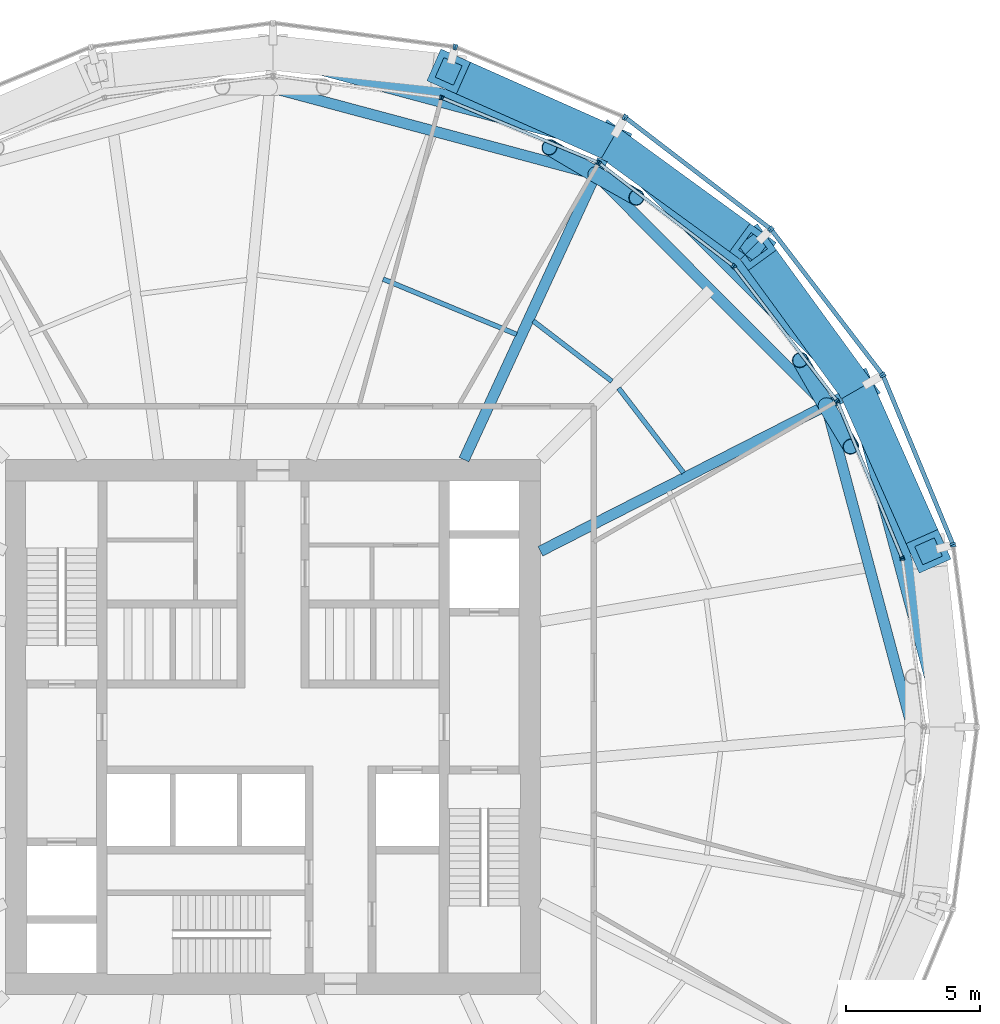
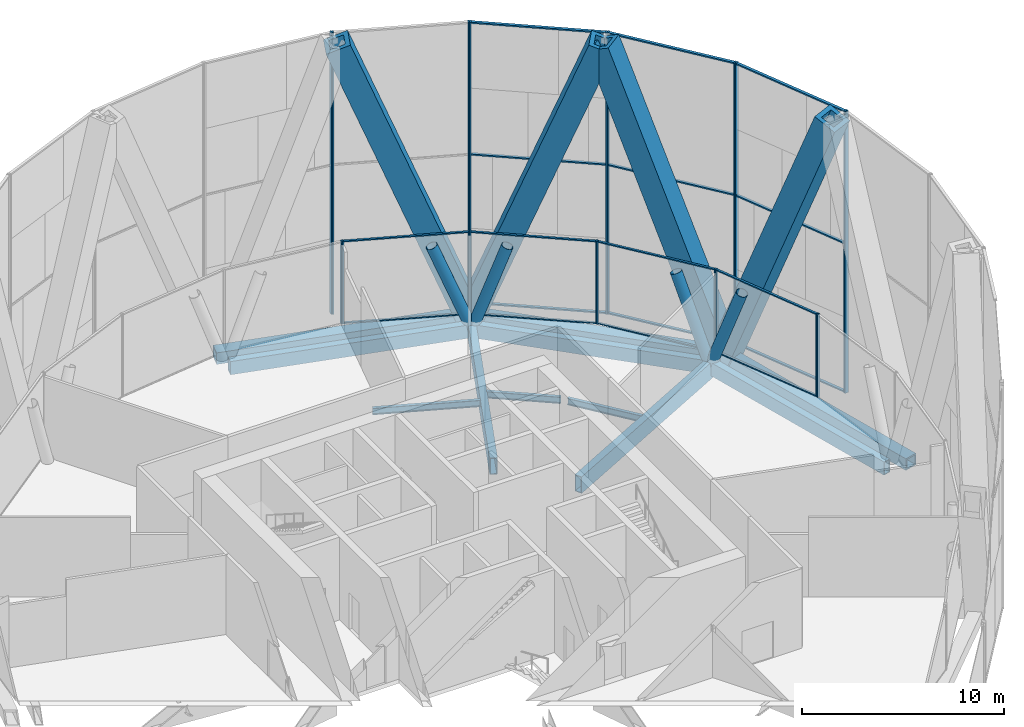
# One storey, part 8 of 16: 45 members, 11 beams, 12 elements without a shape of their own.
"""IFC4 building model written with IfcOpenShell, lengths in metres."""

from ifc_helpers import new_model, si_unit, direction, frame, origin, origin_2d, place, context, subcontext, project, spatial, rectangle, hollow_rectangle, hollow_circle, i_section, extrude, material, material_profile, profile_set, type_object, element, aggregate, save


model = new_model("IFC4")

# Units and contexts
model_context = context("Model", 3, precision=1e-05, world=origin(), true_north=direction((0.0, 1.0)))
body_context = subcontext(model_context, "Body", "Model", "MODEL_VIEW")
ifc_project = project(units=[si_unit("LENGTHUNIT", "METRE"), si_unit("AREAUNIT", "SQUARE_METRE"), si_unit("VOLUMEUNIT", "CUBIC_METRE"), si_unit("PLANEANGLEUNIT", "RADIAN"), si_unit("MASSUNIT", "GRAM", prefix="KILO")], contexts=[model_context])

# Site, building, storey
site_placement = place(None, origin())
site = spatial("IfcSite", under=ifc_project, at=site_placement, CompositionType="ELEMENT")
building_placement = place(site_placement, origin())
building = spatial("IfcBuilding", under=site, at=building_placement, Name="Golbaran Civic Tower", CompositionType="ELEMENT")
storey_placement = place(building_placement, frame((0.0, 0.0, 85.0)))
storey = spatial("IfcBuildingStorey", under=building, at=storey_placement, Name="L20", CompositionType="ELEMENT", Elevation=85.0)

# Members
ifc_material_1 = material(Name="Steel S355", Category="steel")
ifc_material_profile_1 = material_profile(ifc_material_1, hollow_circle(Radius=0.304931640625, WallThickness=0.02490234375, at=origin_2d()), Name="CHS 610.0x25")
ifc_profile_set_1 = profile_set([ifc_material_profile_1], Name="Steel S355")
member_type_1 = type_object("IfcMemberType", Name="BELT TRUSS DIAGONAL CHS 610.0x25", PredefinedType="BRACE", material=ifc_profile_set_1)
member_1_placement = place(storey_placement, frame((20.688232421875, 12.021728515625, -0.60009765625), z_axis=(-0.181029971918, 0.316779719821, 0.931063240805), x_axis=(-0.86822780606, -0.496165775507, 0.0)))
element("IfcMember", 1, at=member_1_placement, inside=storey, type_object=member_type_1, Name="Belt truss diagonal 30.00R L20", PredefinedType="BRACE", context=body_context, shape_type="SweptSolid", body=[
    extrude(hollow_circle(Radius=0.304931640625, WallThickness=0.02490234375, at=origin_2d()), origin(), (0.0, 0.0, 1.0), 5.3701171875),
])
member_2_placement = place(storey_placement, frame((20.688232421875, 12.021728515625, -0.60009765625), z_axis=(0.17373343176, -0.288666900773, 0.941534978154), x_axis=(0.856793813137, 0.515659152707, 0.0)))
element("IfcMember", 2, at=member_2_placement, inside=storey, type_object=member_type_1, Name="Belt truss diagonal 30.00L L20", PredefinedType="BRACE", context=body_context, shape_type="SweptSolid", body=[
    extrude(hollow_circle(Radius=0.304931640625, WallThickness=0.02490234375, at=origin_2d()), origin(), (0.0, 0.0, 1.0), 5.310546875),
])
member_3_placement = place(storey_placement, frame((12.065185546875, 20.6630859375, -0.60009765625), z_axis=(-0.319905106981, 0.189078107017, 0.928391184778), x_axis=(-0.50881561717, -0.860875523943, 0.0)))
element("IfcMember", 3, at=member_3_placement, inside=storey, type_object=member_type_1, Name="Belt truss diagonal 60.00R L20", PredefinedType="BRACE", context=body_context, shape_type="SweptSolid", body=[
    extrude(hollow_circle(Radius=0.304931640625, WallThickness=0.02490234375, at=origin_2d()), origin(), (0.0, 0.0, 1.0), 5.3857421875),
])
member_4_placement = place(storey_placement, frame((12.065185546875, 20.6630859375, -0.60009765625), z_axis=(0.288582653462, -0.161915925956, 0.943664816046), x_axis=(0.489315556037, 0.872106809181, 0.0)))
element("IfcMember", 4, at=member_4_placement, inside=storey, type_object=member_type_1, Name="Belt truss diagonal 60.00L L20", PredefinedType="BRACE", context=body_context, shape_type="SweptSolid", body=[
    extrude(hollow_circle(Radius=0.304931640625, WallThickness=0.02490234375, at=origin_2d()), origin(), (0.0, 0.0, 1.0), 5.298583984375),
])
ifc_material_profile_2 = material_profile(ifc_material_1, hollow_rectangle(XDim=1.300048828125, YDim=1.300048828125, WallThickness=0.25, at=origin_2d()), Name="BOX 1300x1300x250")
ifc_profile_set_2 = profile_set([ifc_material_profile_2], Name="Steel S355")
member_type_2 = type_object("IfcMemberType", Name="DIAGRID DIAGONAL BOX 1300x1300x250", PredefinedType="BRACE", material=ifc_profile_set_2)
for number, where, z_axis, x_axis, name in (
    (5, (21.833251953125, 12.60546875, -0.7099609375), (-0.213080937127, 0.292875852707, 0.932105277924), (-0.80863058771, -0.588316728149, 0.0), "Diagonal D04-01R L20-L24"),
    (6, (21.833251953125, 12.60546875, -0.7099609375), (0.14710040459, -0.330972563789, 0.932104410991), (0.913810024533, 0.406141895231, 0.0), "Diagonal D04-01L L20-L24"),
    (7, (12.60546875, 21.833251953125, -0.7099609375), (-0.330972563789, 0.14710040459, 0.932104410991), (-0.406141895231, -0.913810024533, 0.0), "Diagonal D04-02R L20-L24"),
    (8, (12.60546875, 21.833251953125, -0.7099609375), (0.292875852707, -0.213080937127, 0.932105277924), (0.588316728149, 0.80863058771, 0.0), "Diagonal D04-02L L20-L24"),
):
    element("IfcMember", number, at=place(storey_placement, frame(where, z_axis=z_axis, x_axis=x_axis)), inside=storey, type_object=member_type_2, Name=name, PredefinedType="BRACE", context=body_context, shape_type="SweptSolid", body=[
        extrude(hollow_rectangle(XDim=1.300048828125, YDim=1.300048828125, WallThickness=0.25, at=origin_2d()), origin(), (0.0, 0.0, 1.0), 18.23828125),
    ])

# Beams
ifc_material_profile_3 = material_profile(ifc_material_1, hollow_rectangle(XDim=0.699951171875, YDim=0.699951171875, WallThickness=0.080078125, at=origin_2d()), Name="BOX 700x700x80")
ifc_profile_set_3 = profile_set([ifc_material_profile_3], Name="Steel S355")
beam_type_1 = type_object("IfcBeamType", Name="DIAGRID RING TIE BOX 700x700x80", PredefinedType="BEAM", material=ifc_profile_set_3)
for number, where, z_axis, x_axis, name in (
    (9, (25.2109375, 0.0, -0.7099609375), (-0.258823361579, 0.965924669682, 0.0), (-0.965924669682, -0.258823361579, 0.0), "Ring tie 0.00 L20"),
    (10, (21.833251953125, 12.60546875, -0.7099609375), (-0.707106781187, 0.707106781187, 0.0), (-0.707106781187, -0.707106781187, 0.0), "Ring tie 30.00 L20"),
    (11, (12.60546875, 21.833251953125, -0.7099609375), (-0.965924669682, 0.258823361579, 0.0), (-0.258823361579, -0.965924669682, 0.0), "Ring tie 60.00 L20"),
):
    element("IfcBeam", number, at=place(storey_placement, frame(where, z_axis=z_axis, x_axis=x_axis)), inside=storey, type_object=beam_type_1, Name=name, PredefinedType="BEAM", context=body_context, shape_type="SweptSolid", body=[
        extrude(hollow_rectangle(XDim=0.699951171875, YDim=0.699951171875, WallThickness=0.080078125, at=origin_2d()), origin(), (0.0, 0.0, 1.0), 13.050048828125),
    ])
ifc_material_profile_4 = material_profile(ifc_material_1, hollow_rectangle(XDim=0.39990234375, YDim=0.800048828125, WallThickness=0.0400390625, at=origin_2d()), Name="BOX 800x400x40")
ifc_profile_set_4 = profile_set([ifc_material_profile_4], Name="Steel S355")
beam_type_2 = type_object("IfcBeamType", Name="EDGE BEAM BOX 800x400x40", PredefinedType="BEAM", material=ifc_profile_set_4)
beam_1_placement = place(storey_placement, frame((23.880126953125, 0.065673828125, -0.60009765625), z_axis=(-0.257928144431, 0.966164102164, 0.0), x_axis=(-0.966164102164, -0.257928144431, 0.0)))
element("IfcBeam", 12, at=beam_1_placement, inside=storey, type_object=beam_type_2, Name="Edge beam 0.00 L20", PredefinedType="BEAM", context=body_context, shape_type="SweptSolid", body=[
    extrude(hollow_rectangle(XDim=0.39990234375, YDim=0.800048828125, WallThickness=0.0400390625, at=origin_2d()), origin(), (0.0, 0.0, 1.0), 12.190673828125),
])
beam_2_placement = place(storey_placement, frame((20.5546875, 12.155517578125, -0.60009765625), z_axis=(-0.706363241549, 0.707849539795, 0.0), x_axis=(-0.707849539795, -0.706363241549, 0.0)))
element("IfcBeam", 13, at=beam_2_placement, inside=storey, type_object=beam_type_2, Name="Edge beam 30.00 L20", PredefinedType="BEAM", context=body_context, shape_type="SweptSolid", body=[
    extrude(hollow_rectangle(XDim=0.39990234375, YDim=0.800048828125, WallThickness=0.0400390625, at=origin_2d()), origin(), (0.0, 0.0, 1.0), 11.82666015625),
])
beam_3_placement = place(storey_placement, frame((11.888671875, 20.710205078125, -0.60009765625), z_axis=(-0.9659442267, 0.258750364067, 0.0), x_axis=(-0.258750364067, -0.9659442267, 0.0)))
element("IfcBeam", 14, at=beam_3_placement, inside=storey, type_object=beam_type_2, Name="Edge beam 60.00 L20", PredefinedType="BEAM", context=body_context, shape_type="SweptSolid", body=[
    extrude(hollow_rectangle(XDim=0.39990234375, YDim=0.800048828125, WallThickness=0.0400390625, at=origin_2d()), origin(), (0.0, 0.0, 1.0), 12.25),
])
ifc_material_profile_5 = material_profile(ifc_material_1, i_section(OverallWidth=0.179931640625, OverallDepth=0.39990234375, WebThickness=0.008544921875, FlangeThickness=0.013427734375, FilletRadius=0.02099609375, at=origin_2d()), Name="IPE 400")
ifc_profile_set_5 = profile_set([ifc_material_profile_5], Name="Steel S355")
beam_type_3 = type_object("IfcBeamType", Name="FLOOR INFILL BEAM IPE 400", PredefinedType="BEAM", material=ifc_profile_set_5)
beam_4_placement = place(storey_placement, frame((15.355712890625, 9.50439453125, -0.39990234375), z_axis=(-0.608761492102, 0.793353291878, 0.0), x_axis=(-0.793353291878, -0.608761492102, 0.0)))
element("IfcBeam", 15, at=beam_4_placement, inside=storey, type_object=beam_type_3, Name="Infill beam 37.50 L20", PredefinedType="BEAM", context=body_context, shape_type="SweptSolid", body=[
    extrude(i_section(OverallWidth=0.179931640625, OverallDepth=0.39990234375, WebThickness=0.008544921875, FlangeThickness=0.013427734375, FilletRadius=0.02099609375, at=origin_2d()), origin(), (0.0, 0.0, 1.0), 3.99169921875),
])
beam_5_placement = place(storey_placement, frame((12.673583984375, 12.92822265625, -0.39990234375), z_axis=(-0.793372973676, 0.60873584143, 0.0), x_axis=(-0.60873584143, -0.793372973676, 0.0)))
element("IfcBeam", 16, at=beam_5_placement, inside=storey, type_object=beam_type_3, Name="Infill beam 52.50 L20", PredefinedType="BEAM", context=body_context, shape_type="SweptSolid", body=[
    extrude(i_section(OverallWidth=0.179931640625, OverallDepth=0.39990234375, WebThickness=0.008544921875, FlangeThickness=0.013427734375, FilletRadius=0.02099609375, at=origin_2d()), origin(), (0.0, 0.0, 1.0), 3.705078125),
])
beam_6_placement = place(storey_placement, frame((9.107177734375, 14.684814453125, -0.39990234375), z_axis=(-0.923878564595, 0.382685769113, 0.0), x_axis=(-0.382685769113, -0.923878564595, 0.0)))
element("IfcBeam", 17, at=beam_6_placement, inside=storey, type_object=beam_type_3, Name="Infill beam 67.50 L20", PredefinedType="BEAM", context=body_context, shape_type="SweptSolid", body=[
    extrude(i_section(OverallWidth=0.179931640625, OverallDepth=0.39990234375, WebThickness=0.008544921875, FlangeThickness=0.013427734375, FilletRadius=0.02099609375, at=origin_2d()), origin(), (0.0, 0.0, 1.0), 5.401611328125),
])

# Curtain wall, member
ifc_material_2 = material(Name="Aluminium and glass", Category="aluminium")
curtain_wall_type_1 = type_object("IfcCurtainWallType", Name="OUTER SKIN TERRACOTTA SCREEN", PredefinedType="NOTDEFINED", material=ifc_material_2)
curtain_wall_1_placement = place(storey_placement, origin())
curtain_wall_1 = element("IfcCurtainWall", 18, at=curtain_wall_1_placement, inside=storey, type_object=curtain_wall_type_1, Name="Outer skin L20 facet 1 CW3", ObjectType="OUTER SKIN", PredefinedType="USERDEFINED")
ifc_material_3 = material(Name="Aluminium", Category="aluminium")
ifc_material_profile_6 = material_profile(ifc_material_3, rectangle(XDim=0.219970703125, YDim=0.080078125, at=origin_2d()), Name="OUTER SKIN TERRACOTTA SCREEN MULLION")
ifc_profile_set_6 = profile_set([ifc_material_profile_6], Name="Aluminium")
member_type_3 = type_object("IfcMemberType", Name="OUTER SKIN TERRACOTTA SCREEN MULLION", PredefinedType="MULLION", material=ifc_profile_set_6)
member_5_placement = place(storey_placement, frame((25.43896484375, 6.775390625, -0.7099609375), z_axis=(0.0, 0.0, 1.0), x_axis=(-0.991444861374, -0.13052619222, 0.0)))
member_5 = element("IfcMember", 19, at=member_5_placement, type_object=member_type_3, Name="CW3 mullion 2", PredefinedType="MULLION", context=body_context, shape_type="SweptSolid", body=[
    extrude(rectangle(XDim=0.219970703125, YDim=0.080078125, at=origin_2d()), origin(), (0.0, 0.0, 1.0), 17.0),
])
aggregate(curtain_wall_1, [member_5])

# Curtain wall, members
curtain_wall_2_placement = place(storey_placement, origin())
curtain_wall_2 = element("IfcCurtainWall", 20, at=curtain_wall_2_placement, inside=storey, type_object=curtain_wall_type_1, Name="Outer skin L20 facet 2 CW3", ObjectType="OUTER SKIN", PredefinedType="USERDEFINED")
member_6_placement = place(storey_placement, frame((25.41845703125, 6.851806640625, -0.7099609375), z_axis=(0.0, 0.0, 1.0), x_axis=(-0.923879532498, -0.382683432397, 0.0)))
member_6 = element("IfcMember", 21, at=member_6_placement, type_object=member_type_3, Name="CW3 mullion 1", PredefinedType="MULLION", context=body_context, shape_type="SweptSolid", body=[
    extrude(rectangle(XDim=0.219970703125, YDim=0.080078125, at=origin_2d()), origin(), (0.0, 0.0, 1.0), 17.0),
])
member_7_placement = place(storey_placement, frame((22.818603515625, 13.128662109375, -0.7099609375), z_axis=(0.0, 0.0, 1.0), x_axis=(-0.923879532498, -0.382683432397, 0.0)))
member_7 = element("IfcMember", 22, at=member_7_placement, type_object=member_type_3, Name="CW3 mullion 2", PredefinedType="MULLION", context=body_context, shape_type="SweptSolid", body=[
    extrude(rectangle(XDim=0.219970703125, YDim=0.080078125, at=origin_2d()), origin(), (0.0, 0.0, 1.0), 17.0),
])

curtain_wall_3_placement = place(storey_placement, origin())
curtain_wall_3 = element("IfcCurtainWall", 23, at=curtain_wall_3_placement, inside=storey, type_object=curtain_wall_type_1, Name="Outer skin L20 facet 3 CW3", ObjectType="OUTER SKIN", PredefinedType="USERDEFINED")
member_8_placement = place(storey_placement, frame((22.779052734375, 13.197265625, -0.7099609375), z_axis=(0.0, 0.0, 1.0), x_axis=(-0.793353340238, -0.608761429078, 0.0)))
member_8 = element("IfcMember", 24, at=member_8_placement, type_object=member_type_3, Name="CW3 mullion 1", PredefinedType="MULLION", context=body_context, shape_type="SweptSolid", body=[
    extrude(rectangle(XDim=0.219970703125, YDim=0.080078125, at=origin_2d()), origin(), (0.0, 0.0, 1.0), 17.0),
])
member_9_placement = place(storey_placement, frame((18.64306640625, 18.587158203125, -0.7099609375), z_axis=(0.0, 0.0, 1.0), x_axis=(-0.793353340238, -0.608761429078, 0.0)))
member_9 = element("IfcMember", 25, at=member_9_placement, type_object=member_type_3, Name="CW3 mullion 2", PredefinedType="MULLION", context=body_context, shape_type="SweptSolid", body=[
    extrude(rectangle(XDim=0.219970703125, YDim=0.080078125, at=origin_2d()), origin(), (0.0, 0.0, 1.0), 17.0),
])

curtain_wall_4_placement = place(storey_placement, origin())
curtain_wall_4 = element("IfcCurtainWall", 26, at=curtain_wall_4_placement, inside=storey, type_object=curtain_wall_type_1, Name="Outer skin L20 facet 4 CW3", ObjectType="OUTER SKIN", PredefinedType="USERDEFINED")
member_10_placement = place(storey_placement, frame((18.587158203125, 18.64306640625, -0.7099609375), z_axis=(0.0, 0.0, 1.0), x_axis=(-0.608761429078, -0.793353340238, 0.0)))
member_10 = element("IfcMember", 27, at=member_10_placement, type_object=member_type_3, Name="CW3 mullion 1", PredefinedType="MULLION", context=body_context, shape_type="SweptSolid", body=[
    extrude(rectangle(XDim=0.219970703125, YDim=0.080078125, at=origin_2d()), origin(), (0.0, 0.0, 1.0), 17.0),
])
member_11_placement = place(storey_placement, frame((13.197265625, 22.779052734375, -0.7099609375), z_axis=(0.0, 0.0, 1.0), x_axis=(-0.608761429078, -0.793353340238, 0.0)))
member_11 = element("IfcMember", 28, at=member_11_placement, type_object=member_type_3, Name="CW3 mullion 2", PredefinedType="MULLION", context=body_context, shape_type="SweptSolid", body=[
    extrude(rectangle(XDim=0.219970703125, YDim=0.080078125, at=origin_2d()), origin(), (0.0, 0.0, 1.0), 17.0),
])

curtain_wall_5_placement = place(storey_placement, origin())
curtain_wall_5 = element("IfcCurtainWall", 29, at=curtain_wall_5_placement, inside=storey, type_object=curtain_wall_type_1, Name="Outer skin L20 facet 5 CW3", ObjectType="OUTER SKIN", PredefinedType="USERDEFINED")
member_12_placement = place(storey_placement, frame((13.128662109375, 22.818603515625, -0.7099609375), z_axis=(0.0, 0.0, 1.0), x_axis=(-0.382683432397, -0.923879532498, 0.0)))
member_12 = element("IfcMember", 30, at=member_12_placement, type_object=member_type_3, Name="CW3 mullion 1", PredefinedType="MULLION", context=body_context, shape_type="SweptSolid", body=[
    extrude(rectangle(XDim=0.219970703125, YDim=0.080078125, at=origin_2d()), origin(), (0.0, 0.0, 1.0), 17.0),
])
member_13_placement = place(storey_placement, frame((6.851806640625, 25.41845703125, -0.7099609375), z_axis=(0.0, 0.0, 1.0), x_axis=(-0.382683432397, -0.923879532498, 0.0)))
member_13 = element("IfcMember", 31, at=member_13_placement, type_object=member_type_3, Name="CW3 mullion 2", PredefinedType="MULLION", context=body_context, shape_type="SweptSolid", body=[
    extrude(rectangle(XDim=0.219970703125, YDim=0.080078125, at=origin_2d()), origin(), (0.0, 0.0, 1.0), 17.0),
])
aggregate(curtain_wall_5, [member_12, member_13])

# Curtain wall, member
curtain_wall_6_placement = place(storey_placement, origin())
curtain_wall_6 = element("IfcCurtainWall", 32, at=curtain_wall_6_placement, inside=storey, type_object=curtain_wall_type_1, Name="Outer skin L20 facet 6 CW3", ObjectType="OUTER SKIN", PredefinedType="USERDEFINED")
member_14_placement = place(storey_placement, frame((6.775390625, 25.43896484375, -0.7099609375), z_axis=(0.0, 0.0, 1.0), x_axis=(-0.13052619222, -0.991444861374, 0.0)))
member_14 = element("IfcMember", 33, at=member_14_placement, type_object=member_type_3, Name="CW3 mullion 1", PredefinedType="MULLION", context=body_context, shape_type="SweptSolid", body=[
    extrude(rectangle(XDim=0.219970703125, YDim=0.080078125, at=origin_2d()), origin(), (0.0, 0.0, 1.0), 17.0),
])
aggregate(curtain_wall_6, [member_14])

# Member
ifc_material_profile_7 = material_profile(ifc_material_3, rectangle(XDim=0.159912109375, YDim=0.080078125, at=origin_2d()), Name="OUTER SKIN TERRACOTTA SCREEN TRANSOM")
ifc_profile_set_7 = profile_set([ifc_material_profile_7], Name="Aluminium")
member_type_4 = type_object("IfcMemberType", Name="OUTER SKIN TERRACOTTA SCREEN TRANSOM", PredefinedType="USERDEFINED", material=ifc_profile_set_7)
member_15_placement = place(storey_placement, frame((25.403076171875, 6.888916015625, -0.669921875), z_axis=(-0.382667609507, 0.923886086395, 0.0), x_axis=(-0.923886086395, -0.382667609507, 0.0)))
member_15 = element("IfcMember", 34, at=member_15_placement, type_object=member_type_4, Name="CW3 transom 1.1", ObjectType="TRANSOM", PredefinedType="USERDEFINED", context=body_context, shape_type="SweptSolid", body=[
    extrude(rectangle(XDim=0.159912109375, YDim=0.080078125, at=origin_2d()), origin(), (0.0, 0.0, 1.0), 6.713623046875),
])

member_16_placement = place(storey_placement, frame((25.403076171875, 6.888916015625, 8.2900390625), z_axis=(-0.382667609507, 0.923886086395, 0.0), x_axis=(-0.923886086395, -0.382667609507, 0.0)))
member_16 = element("IfcMember", 35, at=member_16_placement, type_object=member_type_4, Name="CW3 transom 1.2", ObjectType="TRANSOM", PredefinedType="USERDEFINED", context=body_context, shape_type="SweptSolid", body=[
    extrude(rectangle(XDim=0.159912109375, YDim=0.080078125, at=origin_2d()), origin(), (0.0, 0.0, 1.0), 6.713623046875),
])

member_17_placement = place(storey_placement, frame((25.403076171875, 6.888916015625, 16.25), z_axis=(-0.382667609507, 0.923886086395, 0.0), x_axis=(-0.923886086395, -0.382667609507, 0.0)))
member_17 = element("IfcMember", 36, at=member_17_placement, type_object=member_type_4, Name="CW3 transom 1.3", ObjectType="TRANSOM", PredefinedType="USERDEFINED", context=body_context, shape_type="SweptSolid", body=[
    extrude(rectangle(XDim=0.159912109375, YDim=0.080078125, at=origin_2d()), origin(), (0.0, 0.0, 1.0), 6.713623046875),
])

aggregate(curtain_wall_2, [member_6, member_7, member_15, member_16, member_17])

member_18_placement = place(storey_placement, frame((22.754638671875, 13.22900390625, -0.669921875), z_axis=(-0.608766626874, 0.793349351802, 0.0), x_axis=(-0.793349351802, -0.608766626874, 0.0)))
member_18 = element("IfcMember", 37, at=member_18_placement, type_object=member_type_4, Name="CW3 transom 1.1", ObjectType="TRANSOM", PredefinedType="USERDEFINED", context=body_context, shape_type="SweptSolid", body=[
    extrude(rectangle(XDim=0.159912109375, YDim=0.080078125, at=origin_2d()), origin(), (0.0, 0.0, 1.0), 6.7138671875),
])

member_19_placement = place(storey_placement, frame((22.754638671875, 13.22900390625, 8.2900390625), z_axis=(-0.608766626874, 0.793349351802, 0.0), x_axis=(-0.793349351802, -0.608766626874, 0.0)))
member_19 = element("IfcMember", 38, at=member_19_placement, type_object=member_type_4, Name="CW3 transom 1.2", ObjectType="TRANSOM", PredefinedType="USERDEFINED", context=body_context, shape_type="SweptSolid", body=[
    extrude(rectangle(XDim=0.159912109375, YDim=0.080078125, at=origin_2d()), origin(), (0.0, 0.0, 1.0), 6.7138671875),
])

member_20_placement = place(storey_placement, frame((22.754638671875, 13.22900390625, 16.25), z_axis=(-0.608766626874, 0.793349351802, 0.0), x_axis=(-0.793349351802, -0.608766626874, 0.0)))
member_20 = element("IfcMember", 39, at=member_20_placement, type_object=member_type_4, Name="CW3 transom 1.3", ObjectType="TRANSOM", PredefinedType="USERDEFINED", context=body_context, shape_type="SweptSolid", body=[
    extrude(rectangle(XDim=0.159912109375, YDim=0.080078125, at=origin_2d()), origin(), (0.0, 0.0, 1.0), 6.7138671875),
])

aggregate(curtain_wall_3, [member_8, member_9, member_18, member_19, member_20])

member_21_placement = place(storey_placement, frame((18.555419921875, 18.66748046875, -0.669921875), z_axis=(-0.793349351802, 0.608766626874, 0.0), x_axis=(-0.608766626874, -0.793349351802, 0.0)))
member_21 = element("IfcMember", 40, at=member_21_placement, type_object=member_type_4, Name="CW3 transom 1.1", ObjectType="TRANSOM", PredefinedType="USERDEFINED", context=body_context, shape_type="SweptSolid", body=[
    extrude(rectangle(XDim=0.159912109375, YDim=0.080078125, at=origin_2d()), origin(), (0.0, 0.0, 1.0), 6.7138671875),
])

member_22_placement = place(storey_placement, frame((18.555419921875, 18.66748046875, 8.2900390625), z_axis=(-0.793349351802, 0.608766626874, 0.0), x_axis=(-0.608766626874, -0.793349351802, 0.0)))
member_22 = element("IfcMember", 41, at=member_22_placement, type_object=member_type_4, Name="CW3 transom 1.2", ObjectType="TRANSOM", PredefinedType="USERDEFINED", context=body_context, shape_type="SweptSolid", body=[
    extrude(rectangle(XDim=0.159912109375, YDim=0.080078125, at=origin_2d()), origin(), (0.0, 0.0, 1.0), 6.7138671875),
])

member_23_placement = place(storey_placement, frame((18.555419921875, 18.66748046875, 16.25), z_axis=(-0.793349351802, 0.608766626874, 0.0), x_axis=(-0.608766626874, -0.793349351802, 0.0)))
member_23 = element("IfcMember", 42, at=member_23_placement, type_object=member_type_4, Name="CW3 transom 1.3", ObjectType="TRANSOM", PredefinedType="USERDEFINED", context=body_context, shape_type="SweptSolid", body=[
    extrude(rectangle(XDim=0.159912109375, YDim=0.080078125, at=origin_2d()), origin(), (0.0, 0.0, 1.0), 6.7138671875),
])

aggregate(curtain_wall_4, [member_10, member_11, member_21, member_22, member_23])

# Curtain wall, member
curtain_wall_type_2 = type_object("IfcCurtainWallType", Name="PLANT FLOOR LOUVRE WALL", PredefinedType="NOTDEFINED", material=ifc_material_2)
curtain_wall_7_placement = place(storey_placement, origin())
curtain_wall_7 = element("IfcCurtainWall", 43, at=curtain_wall_7_placement, inside=storey, type_object=curtain_wall_type_2, Name="Inner skin L20 facet 1 CW6", ObjectType="PLANT LOUVRE WALL", PredefinedType="USERDEFINED")
ifc_material_profile_8 = material_profile(ifc_material_3, rectangle(XDim=0.159912109375, YDim=0.070068359375, at=origin_2d()), Name="PLANT FLOOR LOUVRE WALL MULLION")
ifc_profile_set_8 = profile_set([ifc_material_profile_8], Name="Aluminium")
member_type_5 = type_object("IfcMemberType", Name="PLANT FLOOR LOUVRE WALL MULLION", PredefinedType="MULLION", material=ifc_profile_set_8)
member_24_placement = place(storey_placement, frame((23.540283203125, 6.271728515625, 0.0), z_axis=(0.0, 0.0, 1.0), x_axis=(-0.991444861367, -0.130526192272, 0.0)))
member_24 = element("IfcMember", 44, at=member_24_placement, type_object=member_type_5, Name="CW6 mullion 2", PredefinedType="MULLION", context=body_context, shape_type="SweptSolid", body=[
    extrude(rectangle(XDim=0.159912109375, YDim=0.070068359375, at=origin_2d()), origin(), (0.0, 0.0, 1.0), 5.0),
])
aggregate(curtain_wall_7, [member_24])

# Curtain wall, members
curtain_wall_8_placement = place(storey_placement, origin())
curtain_wall_8 = element("IfcCurtainWall", 45, at=curtain_wall_8_placement, inside=storey, type_object=curtain_wall_type_2, Name="Inner skin L20 facet 2 CW6", ObjectType="PLANT LOUVRE WALL", PredefinedType="USERDEFINED")
member_25_placement = place(storey_placement, frame((23.5224609375, 6.338623046875, 0.0), z_axis=(0.0, 0.0, 1.0), x_axis=(-0.923879532551, -0.382683432268, 0.0)))
member_25 = element("IfcMember", 46, at=member_25_placement, type_object=member_type_5, Name="CW6 mullion 1", PredefinedType="MULLION", context=body_context, shape_type="SweptSolid", body=[
    extrude(rectangle(XDim=0.159912109375, YDim=0.070068359375, at=origin_2d()), origin(), (0.0, 0.0, 1.0), 5.0),
])
member_26_placement = place(storey_placement, frame((21.114990234375, 12.150634765625, 0.0), z_axis=(0.0, 0.0, 1.0), x_axis=(-0.923879532551, -0.382683432268, 0.0)))
member_26 = element("IfcMember", 47, at=member_26_placement, type_object=member_type_5, Name="CW6 mullion 2", PredefinedType="MULLION", context=body_context, shape_type="SweptSolid", body=[
    extrude(rectangle(XDim=0.159912109375, YDim=0.070068359375, at=origin_2d()), origin(), (0.0, 0.0, 1.0), 5.0),
])

curtain_wall_9_placement = place(storey_placement, origin())
curtain_wall_9 = element("IfcCurtainWall", 48, at=curtain_wall_9_placement, inside=storey, type_object=curtain_wall_type_2, Name="Inner skin L20 facet 3 CW6", ObjectType="PLANT LOUVRE WALL", PredefinedType="USERDEFINED")
member_27_placement = place(storey_placement, frame((21.080322265625, 12.210693359375, 0.0), z_axis=(0.0, 0.0, 1.0), x_axis=(-0.793353340206, -0.608761429119, 0.0)))
member_27 = element("IfcMember", 49, at=member_27_placement, type_object=member_type_5, Name="CW6 mullion 1", PredefinedType="MULLION", context=body_context, shape_type="SweptSolid", body=[
    extrude(rectangle(XDim=0.159912109375, YDim=0.070068359375, at=origin_2d()), origin(), (0.0, 0.0, 1.0), 5.0),
])
member_28_placement = place(storey_placement, frame((17.250732421875, 17.20166015625, 0.0), z_axis=(0.0, 0.0, 1.0), x_axis=(-0.793353340206, -0.608761429119, 0.0)))
member_28 = element("IfcMember", 50, at=member_28_placement, type_object=member_type_5, Name="CW6 mullion 2", PredefinedType="MULLION", context=body_context, shape_type="SweptSolid", body=[
    extrude(rectangle(XDim=0.159912109375, YDim=0.070068359375, at=origin_2d()), origin(), (0.0, 0.0, 1.0), 5.0),
])

curtain_wall_10_placement = place(storey_placement, origin())
curtain_wall_10 = element("IfcCurtainWall", 51, at=curtain_wall_10_placement, inside=storey, type_object=curtain_wall_type_2, Name="Inner skin L20 facet 4 CW6", ObjectType="PLANT LOUVRE WALL", PredefinedType="USERDEFINED")
member_29_placement = place(storey_placement, frame((17.20166015625, 17.250732421875, 0.0), z_axis=(0.0, 0.0, 1.0), x_axis=(-0.608761429119, -0.793353340206, 0.0)))
member_29 = element("IfcMember", 52, at=member_29_placement, type_object=member_type_5, Name="CW6 mullion 1", PredefinedType="MULLION", context=body_context, shape_type="SweptSolid", body=[
    extrude(rectangle(XDim=0.159912109375, YDim=0.070068359375, at=origin_2d()), origin(), (0.0, 0.0, 1.0), 5.0),
])
member_30_placement = place(storey_placement, frame((12.210693359375, 21.080322265625, 0.0), z_axis=(0.0, 0.0, 1.0), x_axis=(-0.608761429119, -0.793353340206, 0.0)))
member_30 = element("IfcMember", 53, at=member_30_placement, type_object=member_type_5, Name="CW6 mullion 2", PredefinedType="MULLION", context=body_context, shape_type="SweptSolid", body=[
    extrude(rectangle(XDim=0.159912109375, YDim=0.070068359375, at=origin_2d()), origin(), (0.0, 0.0, 1.0), 5.0),
])

curtain_wall_11_placement = place(storey_placement, origin())
curtain_wall_11 = element("IfcCurtainWall", 54, at=curtain_wall_11_placement, inside=storey, type_object=curtain_wall_type_2, Name="Inner skin L20 facet 5 CW6", ObjectType="PLANT LOUVRE WALL", PredefinedType="USERDEFINED")
member_31_placement = place(storey_placement, frame((12.150634765625, 21.114990234375, 0.0), z_axis=(0.0, 0.0, 1.0), x_axis=(-0.382683432268, -0.923879532551, 0.0)))
member_31 = element("IfcMember", 55, at=member_31_placement, type_object=member_type_5, Name="CW6 mullion 1", PredefinedType="MULLION", context=body_context, shape_type="SweptSolid", body=[
    extrude(rectangle(XDim=0.159912109375, YDim=0.070068359375, at=origin_2d()), origin(), (0.0, 0.0, 1.0), 5.0),
])
member_32_placement = place(storey_placement, frame((6.338623046875, 23.5224609375, 0.0), z_axis=(0.0, 0.0, 1.0), x_axis=(-0.382683432268, -0.923879532551, 0.0)))
member_32 = element("IfcMember", 56, at=member_32_placement, type_object=member_type_5, Name="CW6 mullion 2", PredefinedType="MULLION", context=body_context, shape_type="SweptSolid", body=[
    extrude(rectangle(XDim=0.159912109375, YDim=0.070068359375, at=origin_2d()), origin(), (0.0, 0.0, 1.0), 5.0),
])

# Curtain wall, member
curtain_wall_12_placement = place(storey_placement, origin())
curtain_wall_12 = element("IfcCurtainWall", 57, at=curtain_wall_12_placement, inside=storey, type_object=curtain_wall_type_2, Name="Inner skin L20 facet 6 CW6", ObjectType="PLANT LOUVRE WALL", PredefinedType="USERDEFINED")
member_33_placement = place(storey_placement, frame((6.271728515625, 23.540283203125, 0.0), z_axis=(0.0, 0.0, 1.0), x_axis=(-0.130526192272, -0.991444861367, 0.0)))
member_33 = element("IfcMember", 58, at=member_33_placement, type_object=member_type_5, Name="CW6 mullion 1", PredefinedType="MULLION", context=body_context, shape_type="SweptSolid", body=[
    extrude(rectangle(XDim=0.159912109375, YDim=0.070068359375, at=origin_2d()), origin(), (0.0, 0.0, 1.0), 5.0),
])
aggregate(curtain_wall_12, [member_33])

# Member
ifc_material_profile_9 = material_profile(ifc_material_3, rectangle(XDim=0.1201171875, YDim=0.070068359375, at=origin_2d()), Name="PLANT FLOOR LOUVRE WALL TRANSOM")
ifc_profile_set_9 = profile_set([ifc_material_profile_9], Name="Aluminium")
member_type_6 = type_object("IfcMemberType", Name="PLANT FLOOR LOUVRE WALL TRANSOM", PredefinedType="USERDEFINED", material=ifc_profile_set_9)
member_34_placement = place(storey_placement, frame((23.509033203125, 6.37109375, 0.034912109375), z_axis=(-0.382683383062, 0.923879552933, 0.0), x_axis=(-0.923879552933, -0.382683383062, 0.0)))
member_34 = element("IfcMember", 59, at=member_34_placement, type_object=member_type_6, Name="CW6 transom 1.1", ObjectType="TRANSOM", PredefinedType="USERDEFINED", context=body_context, shape_type="SweptSolid", body=[
    extrude(rectangle(XDim=0.1201171875, YDim=0.070068359375, at=origin_2d()), origin(), (0.0, 0.0, 1.0), 6.220947265625),
])

member_35_placement = place(storey_placement, frame((23.509033203125, 6.37109375, 4.965087890625), z_axis=(-0.382683383062, 0.923879552933, 0.0), x_axis=(-0.923879552933, -0.382683383062, 0.0)))
member_35 = element("IfcMember", 60, at=member_35_placement, type_object=member_type_6, Name="CW6 transom 1.2", ObjectType="TRANSOM", PredefinedType="USERDEFINED", context=body_context, shape_type="SweptSolid", body=[
    extrude(rectangle(XDim=0.1201171875, YDim=0.070068359375, at=origin_2d()), origin(), (0.0, 0.0, 1.0), 6.220947265625),
])

aggregate(curtain_wall_8, [member_25, member_26, member_34, member_35])

member_36_placement = place(storey_placement, frame((21.05908203125, 12.238525390625, 0.034912109375), z_axis=(-0.608773407576, 0.793344148669, 0.0), x_axis=(-0.793344148669, -0.608773407576, 0.0)))
member_36 = element("IfcMember", 61, at=member_36_placement, type_object=member_type_6, Name="CW6 transom 1.1", ObjectType="TRANSOM", PredefinedType="USERDEFINED", context=body_context, shape_type="SweptSolid", body=[
    extrude(rectangle(XDim=0.1201171875, YDim=0.070068359375, at=origin_2d()), origin(), (0.0, 0.0, 1.0), 6.220947265625),
])

member_37_placement = place(storey_placement, frame((21.05908203125, 12.238525390625, 4.965087890625), z_axis=(-0.608773407576, 0.793344148669, 0.0), x_axis=(-0.793344148669, -0.608773407576, 0.0)))
member_37 = element("IfcMember", 62, at=member_37_placement, type_object=member_type_6, Name="CW6 transom 1.2", ObjectType="TRANSOM", PredefinedType="USERDEFINED", context=body_context, shape_type="SweptSolid", body=[
    extrude(rectangle(XDim=0.1201171875, YDim=0.070068359375, at=origin_2d()), origin(), (0.0, 0.0, 1.0), 6.220947265625),
])

aggregate(curtain_wall_9, [member_27, member_28, member_36, member_37])

member_38_placement = place(storey_placement, frame((17.173828125, 17.27197265625, 0.034912109375), z_axis=(-0.793344148669, 0.608773407576, 0.0), x_axis=(-0.608773407576, -0.793344148669, 0.0)))
member_38 = element("IfcMember", 63, at=member_38_placement, type_object=member_type_6, Name="CW6 transom 1.1", ObjectType="TRANSOM", PredefinedType="USERDEFINED", context=body_context, shape_type="SweptSolid", body=[
    extrude(rectangle(XDim=0.1201171875, YDim=0.070068359375, at=origin_2d()), origin(), (0.0, 0.0, 1.0), 6.220947265625),
])

member_39_placement = place(storey_placement, frame((17.173828125, 17.27197265625, 4.965087890625), z_axis=(-0.793344148669, 0.608773407576, 0.0), x_axis=(-0.608773407576, -0.793344148669, 0.0)))
member_39 = element("IfcMember", 64, at=member_39_placement, type_object=member_type_6, Name="CW6 transom 1.2", ObjectType="TRANSOM", PredefinedType="USERDEFINED", context=body_context, shape_type="SweptSolid", body=[
    extrude(rectangle(XDim=0.1201171875, YDim=0.070068359375, at=origin_2d()), origin(), (0.0, 0.0, 1.0), 6.220947265625),
])

aggregate(curtain_wall_10, [member_29, member_30, member_38, member_39])

member_40_placement = place(storey_placement, frame((12.118408203125, 21.12841796875, 0.034912109375), z_axis=(-0.923879552933, 0.382683383062, 0.0), x_axis=(-0.382683383062, -0.923879552933, 0.0)))
member_40 = element("IfcMember", 65, at=member_40_placement, type_object=member_type_6, Name="CW6 transom 1.1", ObjectType="TRANSOM", PredefinedType="USERDEFINED", context=body_context, shape_type="SweptSolid", body=[
    extrude(rectangle(XDim=0.1201171875, YDim=0.070068359375, at=origin_2d()), origin(), (0.0, 0.0, 1.0), 6.220947265625),
])

member_41_placement = place(storey_placement, frame((12.118408203125, 21.12841796875, 4.965087890625), z_axis=(-0.923879552933, 0.382683383062, 0.0), x_axis=(-0.382683383062, -0.923879552933, 0.0)))
member_41 = element("IfcMember", 66, at=member_41_placement, type_object=member_type_6, Name="CW6 transom 1.2", ObjectType="TRANSOM", PredefinedType="USERDEFINED", context=body_context, shape_type="SweptSolid", body=[
    extrude(rectangle(XDim=0.1201171875, YDim=0.070068359375, at=origin_2d()), origin(), (0.0, 0.0, 1.0), 6.220947265625),
])

aggregate(curtain_wall_11, [member_31, member_32, member_40, member_41])

# Beams
ifc_material_profile_10 = material_profile(ifc_material_1, hollow_rectangle(XDim=0.39990234375, YDim=1.0, WallThickness=0.0400390625, at=origin_2d()), Name="BOX 1000x400x40")
ifc_profile_set_10 = profile_set([ifc_material_profile_10], Name="Steel S355")
beam_type_4 = type_object("IfcBeamType", Name="RADIAL FLOOR BEAM BOX 1000x400x40", PredefinedType="BEAM", material=ifc_profile_set_10)
beam_7_placement = place(storey_placement, frame((10.0, 6.571533203125, -0.7099609375), z_axis=(0.890865453521, 0.454267260237, 0.0), x_axis=(-0.454267260237, 0.890865453521, 0.0)))
element("IfcBeam", 67, at=beam_7_placement, inside=storey, type_object=beam_type_4, Name="Radial beam 30.00 L20", PredefinedType="BEAM", context=body_context, shape_type="SweptSolid", body=[
    extrude(hollow_rectangle(XDim=0.39990234375, YDim=1.0, WallThickness=0.0400390625, at=origin_2d()), origin(), (0.0, 0.0, 1.0), 12.615234375),
])
beam_8_placement = place(storey_placement, frame((7.142822265625, 10.0, -0.7099609375), z_axis=(0.419127075414, 0.907927582274, 0.0), x_axis=(-0.907927582274, 0.419127075414, 0.0)))
element("IfcBeam", 68, at=beam_8_placement, inside=storey, type_object=beam_type_4, Name="Radial beam 60.00 L20", PredefinedType="BEAM", context=body_context, shape_type="SweptSolid", body=[
    extrude(hollow_rectangle(XDim=0.39990234375, YDim=1.0, WallThickness=0.0400390625, at=origin_2d()), origin(), (0.0, 0.0, 1.0), 12.35888671875),
])

save(model, "model.ifc")
